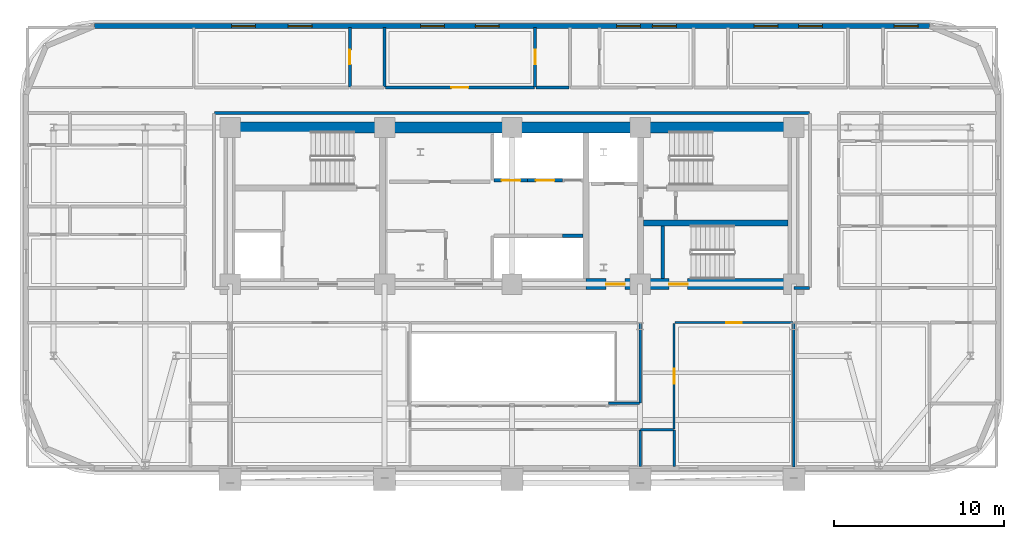
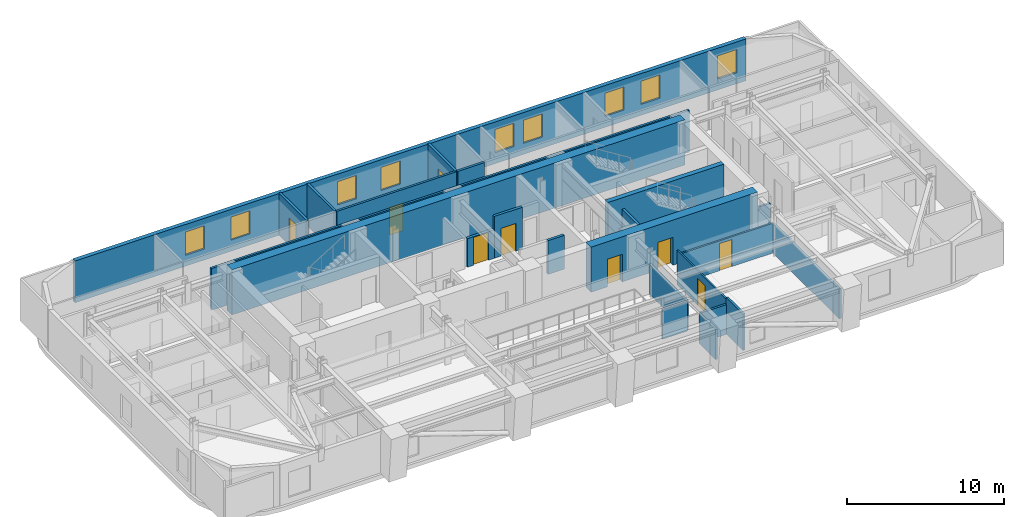
# One storey, part 9 of 14: 23 walls, 9 doors, 9 windows, 18 openings.
"""IFC4 building model written with IfcOpenShell, lengths in metres."""

from ifc_helpers import new_model, si_unit, direction, frame, frame_2d, origin, place, context, subcontext, project, spatial, rectangle, extrude, material, layer, layer_set, type_object, element, fill, save


model = new_model("IFC4")

# Units and contexts
model_context = context("Model", 3, precision=1e-05, world=origin(), true_north=direction((0.0, 1.0)))
body_context = subcontext(model_context, "Body", "Model", "MODEL_VIEW")
ifc_project = project(units=[si_unit("LENGTHUNIT", "METRE"), si_unit("AREAUNIT", "SQUARE_METRE"), si_unit("VOLUMEUNIT", "CUBIC_METRE"), si_unit("PLANEANGLEUNIT", "RADIAN"), si_unit("MASSUNIT", "GRAM", prefix="KILO")], contexts=[model_context])

# Site, building, storey
site_placement = place(None, origin())
site = spatial("IfcSite", under=ifc_project, at=site_placement, CompositionType="ELEMENT")
building_placement = place(site_placement, origin())
building = spatial("IfcBuilding", under=site, at=building_placement, Name="Zarnavel Station Tower", CompositionType="ELEMENT")
storey_placement = place(building_placement, frame((0.0, 0.0, 108.300048828125)))
storey = spatial("IfcBuildingStorey", under=building, at=storey_placement, Name="L29", CompositionType="ELEMENT", Elevation=108.300048828125)

# Walls
ifc_material_1 = material(Name="Concrete C50/60", Category="concrete")
ifc_layer_1 = layer(ifc_material_1, 0.35009765625)
ifc_layer_set_1 = layer_set([ifc_layer_1], Name="CW_350")
wall_type_1 = type_object("IfcWallType", Name="CW_350", PredefinedType="SHEAR", material=ifc_layer_set_1)
wall_1_placement = place(storey_placement, frame((36.554931640625, 31.419921875, 0.0), z_axis=(0.0, 0.0, 1.0), x_axis=(1.0, 0.0, 0.0)))
element("IfcWall", 1, at=wall_1_placement, inside=storey, type_object=wall_type_1, Name="L29 Rear Core Shear Wall DIV-H3", PredefinedType="SHEAR", context=body_context, shape_type="SweptSolid", body=[
    extrude(rectangle(XDim=8.5, YDim=0.35009765625, at=frame_2d((4.25, 0.0))), origin(), (0.0, 0.0, 1.0), 3.5),
])
ifc_material_2 = material(Name="Concrete C60/75", Category="concrete")
ifc_layer_2 = layer(ifc_material_2, 0.64990234375)
ifc_layer_set_2 = layer_set([ifc_layer_2], Name="CW_650")
wall_type_2 = type_object("IfcWallType", Name="CW_650", PredefinedType="SHEAR", material=ifc_layer_set_2)
wall_2_placement = place(storey_placement, frame((12.14990234375, 37.050048828125, 0.0), z_axis=(0.0, 0.0, 1.0), x_axis=(1.0, 0.0, 0.0)))
element("IfcWall", 2, at=wall_2_placement, inside=storey, type_object=wall_type_2, Name="L29 Rear Core Shear Wall N", PredefinedType="SHEAR", context=body_context, shape_type="SweptSolid", body=[
    extrude(rectangle(XDim=33.22998046875, YDim=0.64990234375, at=frame_2d((16.614990234375, 0.0))), origin(), (0.0, 0.0, 1.0), 3.5),
])

# Wall, openings, doors
wall_3_placement = place(storey_placement, frame((45.3798828125, 27.820068359375, 0.0), z_axis=(0.0, 0.0, 1.0), x_axis=(-1.0, 0.0, 0.0)))
wall_3 = element("IfcWall", 3, at=wall_3_placement, inside=storey, type_object=wall_type_2, Name="L29 Rear Core Shear Wall S-E", PredefinedType="SHEAR", context=body_context, shape_type="SweptSolid", body=[
    extrude(rectangle(XDim=12.22998046875, YDim=0.64990234375, at=frame_2d((6.114990234375, 0.0))), origin(), (0.0, 0.0, 1.0), 3.5),
])
opening_1_placement = place(wall_3_placement, frame((9.929931640625, 0.0, 0.0)))
opening_1 = element("IfcOpeningElement", 4, at=opening_1_placement, cuts=wall_3, Name="Opening FD01", PredefinedType="OPENING", context=body_context, shape_type="SweptSolid", body=[
    extrude(rectangle(XDim=1.10009765625, YDim=2.14990234375, at=frame_2d((0.550048828125, 1.074951171875))), frame((0.0, 0.3349609375, 0.0), z_axis=(0.0, -1.0, 0.0), x_axis=(1.0, 0.0, 0.0)), (0.0, 0.0, 1.0), 0.669921875),
])
opening_2_placement = place(wall_3_placement, frame((6.22998046875, 0.0, 0.0)))
opening_2 = element("IfcOpeningElement", 5, at=opening_2_placement, cuts=wall_3, Name="Opening FD01", PredefinedType="OPENING", context=body_context, shape_type="SweptSolid", body=[
    extrude(rectangle(XDim=1.10009765625, YDim=2.14990234375, at=frame_2d((0.550048828125, 1.074951171875))), frame((0.0, 0.3349609375, 0.0), z_axis=(0.0, -1.0, 0.0), x_axis=(1.0, 0.0, 0.0)), (0.0, 0.0, 1.0), 0.669921875),
])
ifc_material_3 = material(Name="Painted Galvanised Steel and Hardwood Leaf", Category="steel")
door_type_1 = type_object("IfcDoorType", Name="ID_STAIR_1100", OperationType="NOTDEFINED", PredefinedType="DOOR", material=ifc_material_3)
door_1_placement = place(opening_1_placement, origin())
door_1 = element("IfcDoor", 6, at=door_1_placement, inside=storey, type_object=door_type_1, Name="L29 East Firefighting Lobby Door", OperationType="SINGLE_SWING_LEFT", OverallHeight=2.14990234375, OverallWidth=1.10009765625, PredefinedType="DOOR", context=body_context, shape_type="SweptSolid", body=[
    extrude(rectangle(XDim=1.10009765625, YDim=2.14990234375, at=frame_2d((0.550048828125, 1.074951171875))), frame((0.0, 0.02490234375, 0.0), z_axis=(0.0, -1.0, 0.0), x_axis=(1.0, 0.0, 0.0)), (0.0, 0.0, 1.0), 0.050048828125),
])
fill(opening_1, door_1)
door_2_placement = place(opening_2_placement, origin())
door_2 = element("IfcDoor", 7, at=door_2_placement, inside=storey, type_object=door_type_1, Name="L29 Stair ST3 Corridor Fire Door", OperationType="SINGLE_SWING_RIGHT", OverallHeight=2.14990234375, OverallWidth=1.10009765625, PredefinedType="DOOR", context=body_context, shape_type="SweptSolid", body=[
    extrude(rectangle(XDim=1.10009765625, YDim=2.14990234375, at=frame_2d((0.550048828125, 1.074951171875))), frame((0.0, 0.02490234375, 0.0), z_axis=(0.0, -1.0, 0.0), x_axis=(1.0, 0.0, 0.0)), (0.0, 0.0, 1.0), 0.050048828125),
])
fill(opening_2, door_2)

# Wall, openings, windows
ifc_material_4 = material(Name="Precast concrete C45/55 (Dark Basalt Finish)", Category="masonry")
ifc_layer_3 = layer(ifc_material_4, 0.300048828125)
ifc_layer_set_3 = layer_set([ifc_layer_3], Name="EW_BASALT_300")
wall_type_3 = type_object("IfcWallType", Name="EW_BASALT_300", PredefinedType="SOLIDWALL", material=ifc_layer_set_3)
wall_4_placement = place(storey_placement, frame((4.199951171875, 43.02001953125, 0.0), z_axis=(0.0, 0.0, 1.0), x_axis=(1.0, 0.0, 0.0)))
wall_4 = element("IfcWall", 8, at=wall_4_placement, inside=storey, type_object=wall_type_3, Name="L29 Exterior Basalt Masonry Frame Wall 06", PredefinedType="SOLIDWALL", context=body_context, shape_type="SweptSolid", body=[
    extrude(rectangle(XDim=49.199951171875, YDim=0.300048828125, at=frame_2d((24.60009765625, 0.0))), origin(), (0.0, 0.0, 1.0), 3.239990234375),
])
opening_3_placement = place(wall_4_placement, frame((8.090087890625, 0.0, 0.85009765625)))
opening_3 = element("IfcOpeningElement", 9, at=opening_3_placement, cuts=wall_4, Name="Opening WN01", PredefinedType="OPENING", context=body_context, shape_type="SweptSolid", body=[
    extrude(rectangle(XDim=1.39990234375, YDim=1.800048828125, at=frame_2d((0.699951171875, 0.89990234375))), frame((0.0, 0.159912109375, 0.0), z_axis=(0.0, -1.0, 0.0), x_axis=(1.0, 0.0, 0.0)), (0.0, 0.0, 1.0), 0.320068359375),
])
opening_4_placement = place(wall_4_placement, frame((11.419921875, 0.0, 0.85009765625)))
opening_4 = element("IfcOpeningElement", 10, at=opening_4_placement, cuts=wall_4, Name="Opening WN01", PredefinedType="OPENING", context=body_context, shape_type="SweptSolid", body=[
    extrude(rectangle(XDim=1.39990234375, YDim=1.800048828125, at=frame_2d((0.699951171875, 0.89990234375))), frame((0.0, 0.159912109375, 0.0), z_axis=(0.0, -1.0, 0.0), x_axis=(1.0, 0.0, 0.0)), (0.0, 0.0, 1.0), 0.320068359375),
])
opening_5_placement = place(wall_4_placement, frame((19.22021484375, 0.0, 0.85009765625)))
opening_5 = element("IfcOpeningElement", 11, at=opening_5_placement, cuts=wall_4, Name="Opening WN01", PredefinedType="OPENING", context=body_context, shape_type="SweptSolid", body=[
    extrude(rectangle(XDim=1.39990234375, YDim=1.800048828125, at=frame_2d((0.699951171875, 0.89990234375))), frame((0.0, 0.159912109375, 0.0), z_axis=(0.0, -1.0, 0.0), x_axis=(1.0, 0.0, 0.0)), (0.0, 0.0, 1.0), 0.320068359375),
])
opening_6_placement = place(wall_4_placement, frame((22.440673828125, 0.0, 0.85009765625)))
opening_6 = element("IfcOpeningElement", 12, at=opening_6_placement, cuts=wall_4, Name="Opening WN01", PredefinedType="OPENING", context=body_context, shape_type="SweptSolid", body=[
    extrude(rectangle(XDim=1.39990234375, YDim=1.800048828125, at=frame_2d((0.699951171875, 0.89990234375))), frame((0.0, 0.159912109375, 0.0), z_axis=(0.0, -1.0, 0.0), x_axis=(1.0, 0.0, 0.0)), (0.0, 0.0, 1.0), 0.320068359375),
])
opening_7_placement = place(wall_4_placement, frame((30.766357421875, 0.0, 0.85009765625)))
opening_7 = element("IfcOpeningElement", 13, at=opening_7_placement, cuts=wall_4, Name="Opening WN01", PredefinedType="OPENING", context=body_context, shape_type="SweptSolid", body=[
    extrude(rectangle(XDim=1.39990234375, YDim=1.800048828125, at=frame_2d((0.699951171875, 0.89990234375))), frame((0.0, 0.159912109375, 0.0), z_axis=(0.0, -1.0, 0.0), x_axis=(1.0, 0.0, 0.0)), (0.0, 0.0, 1.0), 0.320068359375),
])
opening_8_placement = place(wall_4_placement, frame((32.875732421875, 0.0, 0.85009765625)))
opening_8 = element("IfcOpeningElement", 14, at=opening_8_placement, cuts=wall_4, Name="Opening WN01", PredefinedType="OPENING", context=body_context, shape_type="SweptSolid", body=[
    extrude(rectangle(XDim=1.39990234375, YDim=1.800048828125, at=frame_2d((0.699951171875, 0.89990234375))), frame((0.0, 0.159912109375, 0.0), z_axis=(0.0, -1.0, 0.0), x_axis=(1.0, 0.0, 0.0)), (0.0, 0.0, 1.0), 0.320068359375),
])
opening_9_placement = place(wall_4_placement, frame((38.856689453125, 0.0, 0.85009765625)))
opening_9 = element("IfcOpeningElement", 15, at=opening_9_placement, cuts=wall_4, Name="Opening WN01", PredefinedType="OPENING", context=body_context, shape_type="SweptSolid", body=[
    extrude(rectangle(XDim=1.39990234375, YDim=1.800048828125, at=frame_2d((0.699951171875, 0.89990234375))), frame((0.0, 0.159912109375, 0.0), z_axis=(0.0, -1.0, 0.0), x_axis=(1.0, 0.0, 0.0)), (0.0, 0.0, 1.0), 0.320068359375),
])
opening_10_placement = place(wall_4_placement, frame((41.478271484375, 0.0, 0.85009765625)))
opening_10 = element("IfcOpeningElement", 16, at=opening_10_placement, cuts=wall_4, Name="Opening WN01", PredefinedType="OPENING", context=body_context, shape_type="SweptSolid", body=[
    extrude(rectangle(XDim=1.39990234375, YDim=1.800048828125, at=frame_2d((0.699951171875, 0.89990234375))), frame((0.0, 0.159912109375, 0.0), z_axis=(0.0, -1.0, 0.0), x_axis=(1.0, 0.0, 0.0)), (0.0, 0.0, 1.0), 0.320068359375),
])
opening_11_placement = place(wall_4_placement, frame((47.114990234375, 0.0, 0.85009765625)))
opening_11 = element("IfcOpeningElement", 17, at=opening_11_placement, cuts=wall_4, Name="Opening WN01", PredefinedType="OPENING", context=body_context, shape_type="SweptSolid", body=[
    extrude(rectangle(XDim=1.39990234375, YDim=1.800048828125, at=frame_2d((0.699951171875, 0.89990234375))), frame((0.0, 0.159912109375, 0.0), z_axis=(0.0, -1.0, 0.0), x_axis=(1.0, 0.0, 0.0)), (0.0, 0.0, 1.0), 0.320068359375),
])
ifc_material_5 = material(Name="Thermally Broken Black Aluminium and Low-E Dark Glass", Category="aluminium")
window_type = type_object("IfcWindowType", Name="WN_1400x1800", PartitioningType="DOUBLE_PANEL_VERTICAL", PredefinedType="WINDOW", material=ifc_material_5)
window_1_placement = place(opening_3_placement, origin())
window_1 = element("IfcWindow", 18, at=window_1_placement, inside=storey, type_object=window_type, Name="L29 Recessed Facade Window 01", OverallHeight=1.800048828125, OverallWidth=1.39990234375, PartitioningType="SINGLE_PANEL", PredefinedType="WINDOW", context=body_context, shape_type="SweptSolid", body=[
    extrude(rectangle(XDim=1.39990234375, YDim=1.800048828125, at=frame_2d((0.699951171875, 0.89990234375))), frame((0.0, 0.030029296875, 0.0), z_axis=(0.0, -1.0, 0.0), x_axis=(1.0, 0.0, 0.0)), (0.0, 0.0, 1.0), 0.06005859375),
])
fill(opening_3, window_1)
window_2_placement = place(opening_4_placement, origin())
window_2 = element("IfcWindow", 19, at=window_2_placement, inside=storey, type_object=window_type, Name="L29 Recessed Facade Window 02", OverallHeight=1.800048828125, OverallWidth=1.39990234375, PartitioningType="SINGLE_PANEL", PredefinedType="WINDOW", context=body_context, shape_type="SweptSolid", body=[
    extrude(rectangle(XDim=1.39990234375, YDim=1.800048828125, at=frame_2d((0.699951171875, 0.89990234375))), frame((0.0, 0.030029296875, 0.0), z_axis=(0.0, -1.0, 0.0), x_axis=(1.0, 0.0, 0.0)), (0.0, 0.0, 1.0), 0.06005859375),
])
fill(opening_4, window_2)
window_3_placement = place(opening_5_placement, origin())
window_3 = element("IfcWindow", 20, at=window_3_placement, inside=storey, type_object=window_type, Name="L29 Recessed Facade Window 03", OverallHeight=1.800048828125, OverallWidth=1.39990234375, PartitioningType="SINGLE_PANEL", PredefinedType="WINDOW", context=body_context, shape_type="SweptSolid", body=[
    extrude(rectangle(XDim=1.39990234375, YDim=1.800048828125, at=frame_2d((0.699951171875, 0.89990234375))), frame((0.0, 0.030029296875, 0.0), z_axis=(0.0, -1.0, 0.0), x_axis=(1.0, 0.0, 0.0)), (0.0, 0.0, 1.0), 0.06005859375),
])
fill(opening_5, window_3)
window_4_placement = place(opening_6_placement, origin())
window_4 = element("IfcWindow", 21, at=window_4_placement, inside=storey, type_object=window_type, Name="L29 Recessed Facade Window 04", OverallHeight=1.800048828125, OverallWidth=1.39990234375, PartitioningType="SINGLE_PANEL", PredefinedType="WINDOW", context=body_context, shape_type="SweptSolid", body=[
    extrude(rectangle(XDim=1.39990234375, YDim=1.800048828125, at=frame_2d((0.699951171875, 0.89990234375))), frame((0.0, 0.030029296875, 0.0), z_axis=(0.0, -1.0, 0.0), x_axis=(1.0, 0.0, 0.0)), (0.0, 0.0, 1.0), 0.06005859375),
])
fill(opening_6, window_4)
window_5_placement = place(opening_7_placement, origin())
window_5 = element("IfcWindow", 22, at=window_5_placement, inside=storey, type_object=window_type, Name="L29 Recessed Facade Window 05", OverallHeight=1.800048828125, OverallWidth=1.39990234375, PartitioningType="SINGLE_PANEL", PredefinedType="WINDOW", context=body_context, shape_type="SweptSolid", body=[
    extrude(rectangle(XDim=1.39990234375, YDim=1.800048828125, at=frame_2d((0.699951171875, 0.89990234375))), frame((0.0, 0.030029296875, 0.0), z_axis=(0.0, -1.0, 0.0), x_axis=(1.0, 0.0, 0.0)), (0.0, 0.0, 1.0), 0.06005859375),
])
fill(opening_7, window_5)
window_6_placement = place(opening_8_placement, origin())
window_6 = element("IfcWindow", 23, at=window_6_placement, inside=storey, type_object=window_type, Name="L29 Recessed Facade Window 06", OverallHeight=1.800048828125, OverallWidth=1.39990234375, PartitioningType="SINGLE_PANEL", PredefinedType="WINDOW", context=body_context, shape_type="SweptSolid", body=[
    extrude(rectangle(XDim=1.39990234375, YDim=1.800048828125, at=frame_2d((0.699951171875, 0.89990234375))), frame((0.0, 0.030029296875, 0.0), z_axis=(0.0, -1.0, 0.0), x_axis=(1.0, 0.0, 0.0)), (0.0, 0.0, 1.0), 0.06005859375),
])
fill(opening_8, window_6)
window_7_placement = place(opening_9_placement, origin())
window_7 = element("IfcWindow", 24, at=window_7_placement, inside=storey, type_object=window_type, Name="L29 Recessed Facade Window 07", OverallHeight=1.800048828125, OverallWidth=1.39990234375, PartitioningType="SINGLE_PANEL", PredefinedType="WINDOW", context=body_context, shape_type="SweptSolid", body=[
    extrude(rectangle(XDim=1.39990234375, YDim=1.800048828125, at=frame_2d((0.699951171875, 0.89990234375))), frame((0.0, 0.030029296875, 0.0), z_axis=(0.0, -1.0, 0.0), x_axis=(1.0, 0.0, 0.0)), (0.0, 0.0, 1.0), 0.06005859375),
])
fill(opening_9, window_7)
window_8_placement = place(opening_10_placement, origin())
window_8 = element("IfcWindow", 25, at=window_8_placement, inside=storey, type_object=window_type, Name="L29 Recessed Facade Window 08", OverallHeight=1.800048828125, OverallWidth=1.39990234375, PartitioningType="SINGLE_PANEL", PredefinedType="WINDOW", context=body_context, shape_type="SweptSolid", body=[
    extrude(rectangle(XDim=1.39990234375, YDim=1.800048828125, at=frame_2d((0.699951171875, 0.89990234375))), frame((0.0, 0.030029296875, 0.0), z_axis=(0.0, -1.0, 0.0), x_axis=(1.0, 0.0, 0.0)), (0.0, 0.0, 1.0), 0.06005859375),
])
fill(opening_10, window_8)
window_9_placement = place(opening_11_placement, origin())
window_9 = element("IfcWindow", 26, at=window_9_placement, inside=storey, type_object=window_type, Name="L29 Recessed Facade Window 09", OverallHeight=1.800048828125, OverallWidth=1.39990234375, PartitioningType="SINGLE_PANEL", PredefinedType="WINDOW", context=body_context, shape_type="SweptSolid", body=[
    extrude(rectangle(XDim=1.39990234375, YDim=1.800048828125, at=frame_2d((0.699951171875, 0.89990234375))), frame((0.0, 0.030029296875, 0.0), z_axis=(0.0, -1.0, 0.0), x_axis=(1.0, 0.0, 0.0)), (0.0, 0.0, 1.0), 0.06005859375),
])
fill(opening_11, window_9)

# Wall, opening, door
ifc_material_6 = material(Name="Gypsum Twin-Stud Acoustic Fire Partition", Category="concrete")
ifc_layer_4 = layer(ifc_material_6, 0.159912109375)
ifc_layer_set_4 = layer_set([ifc_layer_4], Name="PT_DEMISE_160")
wall_type_4 = type_object("IfcWallType", Name="PT_DEMISE_160", PredefinedType="PARTITIONING", material=ifc_layer_set_4)
wall_5_placement = place(storey_placement, frame((21.340087890625, 39.39990234375, 0.0), z_axis=(0.0, 0.0, 1.0), x_axis=(1.0, 0.0, 0.0)))
wall_5 = element("IfcWall", 27, at=wall_5_placement, inside=storey, type_object=wall_type_4, Name="L29 Partition COR-N-HN2R", PredefinedType="PARTITIONING", context=body_context, shape_type="SweptSolid", body=[
    extrude(rectangle(XDim=8.781005859375, YDim=0.159912109375, at=frame_2d((4.390625, 0.0))), origin(), (0.0, 0.0, 1.0), 3.239990234375),
])
opening_12_placement = place(wall_5_placement, frame((3.890380859375, 0.0, 0.0)))
opening_12 = element("IfcOpeningElement", 28, at=opening_12_placement, cuts=wall_5, Name="Opening FD02", PredefinedType="OPENING", context=body_context, shape_type="SweptSolid", body=[
    extrude(rectangle(XDim=1.0, YDim=2.14990234375, at=frame_2d((0.5, 1.074951171875))), frame((0.0, 0.08984375, 0.0), z_axis=(0.0, -1.0, 0.0), x_axis=(1.0, 0.0, 0.0)), (0.0, 0.0, 1.0), 0.179931640625),
])
ifc_material_7 = material(Name="Painted Galvanised Steel and Hardwood Leaf", Category="steel")
door_type_2 = type_object("IfcDoorType", Name="ID_ENTRY_1000", OperationType="NOTDEFINED", PredefinedType="DOOR", material=ifc_material_7)
door_3_placement = place(opening_12_placement, origin())
door_3 = element("IfcDoor", 29, at=door_3_placement, inside=storey, type_object=door_type_2, Name="L29 Door COR-N-HN2R", OperationType="SINGLE_SWING_RIGHT", OverallHeight=2.14990234375, OverallWidth=1.0, PredefinedType="DOOR", context=body_context, shape_type="SweptSolid", body=[
    extrude(rectangle(XDim=1.0, YDim=2.14990234375, at=frame_2d((0.5, 1.074951171875))), frame((0.0, 0.02490234375, 0.0), z_axis=(0.0, -1.0, 0.0), x_axis=(1.0, 0.0, 0.0)), (0.0, 0.0, 1.0), 0.050048828125),
])
fill(opening_12, door_3)

# Walls
wall_6_placement = place(storey_placement, frame((45.39990234375, 17.06005859375, 0.0), z_axis=(0.0, 0.0, 1.0), x_axis=(0.0, 1.0, 0.0)))
element("IfcWall", 30, at=wall_6_placement, inside=storey, type_object=wall_type_4, Name="L29 Partition L29SCR-L29FOY", PredefinedType="PARTITIONING", context=body_context, shape_type="SweptSolid", body=[
    extrude(rectangle(XDim=8.449951171875, YDim=0.159912109375, at=frame_2d((4.22509765625, 0.0))), origin(), (0.0, 0.0, 1.0), 2.31005859375),
])
wall_7_placement = place(storey_placement, frame((45.409912109375, 27.60009765625, 0.0), z_axis=(0.0, 0.0, 1.0), x_axis=(1.0, 0.0, 0.0)))
element("IfcWall", 31, at=wall_7_placement, inside=storey, type_object=wall_type_4, Name="L29 Enclosure Wall COR-S", PredefinedType="PARTITIONING", context=body_context, shape_type="SweptSolid", body=[
    extrude(rectangle(XDim=0.91015625, YDim=0.159912109375, at=frame_2d((0.455078125, 0.0))), origin(), (0.0, 0.0, 1.0), 2.280029296875),
])
wall_8_placement = place(storey_placement, frame((11.280029296875, 37.89990234375, 0.0), z_axis=(0.0, 0.0, 1.0), x_axis=(1.0, 0.0, 0.0)))
element("IfcWall", 32, at=wall_8_placement, inside=storey, type_object=wall_type_4, Name="L29 Enclosure Wall COR-N", PredefinedType="PARTITIONING", context=body_context, shape_type="SweptSolid", body=[
    extrude(rectangle(XDim=35.0400390625, YDim=0.159912109375, at=frame_2d((17.52001953125, 0.0))), origin(), (0.0, 0.0, 1.0), 3.239990234375),
])
wall_9_placement = place(storey_placement, frame((36.3798828125, 19.25, 0.0), z_axis=(0.0, 0.0, 1.0), x_axis=(1.0, 0.0, 0.0)))
element("IfcWall", 33, at=wall_9_placement, inside=storey, type_object=wall_type_4, Name="L29 Enclosure Wall COR-AE", PredefinedType="PARTITIONING", context=body_context, shape_type="SweptSolid", body=[
    extrude(rectangle(XDim=1.940185546875, YDim=0.159912109375, at=frame_2d((0.97021484375, 0.0))), origin(), (0.0, 0.0, 1.0), 2.31005859375),
])
wall_10_placement = place(storey_placement, frame((36.35009765625, 20.830078125, 0.0), z_axis=(0.0, 0.0, 1.0), x_axis=(0.0, 1.0, 0.0)))
element("IfcWall", 34, at=wall_10_placement, inside=storey, type_object=wall_type_4, Name="L29 Enclosure Wall COR-AE", PredefinedType="PARTITIONING", context=body_context, shape_type="SweptSolid", body=[
    extrude(rectangle(XDim=4.68994140625, YDim=0.159912109375, at=frame_2d((2.344970703125, 0.0))), origin(), (0.0, 0.0, 1.0), 2.31005859375),
])
wall_11_placement = place(storey_placement, frame((34.47998046875, 20.800048828125, 0.0), z_axis=(0.0, 0.0, 1.0), x_axis=(1.0, 0.0, 0.0)))
element("IfcWall", 35, at=wall_11_placement, inside=storey, type_object=wall_type_4, Name="L29 Enclosure Wall COR-AS", PredefinedType="PARTITIONING", context=body_context, shape_type="SweptSolid", body=[
    extrude(rectangle(XDim=1.840087890625, YDim=0.159912109375, at=frame_2d((0.919921875, 0.0))), origin(), (0.0, 0.0, 1.0), 2.31005859375),
])
wall_12_placement = place(storey_placement, frame((36.35009765625, 17.090087890625, 0.0), z_axis=(0.0, 0.0, 1.0), x_axis=(0.0, 1.0, 0.0)))
element("IfcWall", 36, at=wall_12_placement, inside=storey, type_object=wall_type_4, Name="L29 Enclosure Wall L29GYM", PredefinedType="PARTITIONING", context=body_context, shape_type="SweptSolid", body=[
    extrude(rectangle(XDim=2.1298828125, YDim=0.159912109375, at=frame_2d((1.06494140625, 0.0))), origin(), (0.0, 0.0, 1.0), 2.31005859375),
])
wall_13_placement = place(storey_placement, frame((38.35009765625, 17.090087890625, 0.0), z_axis=(0.0, 0.0, 1.0), x_axis=(0.0, 1.0, 0.0)))
element("IfcWall", 37, at=wall_13_placement, inside=storey, type_object=wall_type_4, Name="L29 Enclosure Wall L29SCR", PredefinedType="PARTITIONING", context=body_context, shape_type="SweptSolid", body=[
    extrude(rectangle(XDim=2.1298828125, YDim=0.159912109375, at=frame_2d((1.06494140625, 0.0))), origin(), (0.0, 0.0, 1.0), 2.829833984375),
])

# Wall, opening, door
ifc_material_8 = material(Name="Gypsum Metal-Stud Interior Partition", Category="concrete")
ifc_layer_5 = layer(ifc_material_8, 0.1201171875)
ifc_layer_set_5 = layer_set([ifc_layer_5], Name="PT_ROOM_120")
wall_type_5 = type_object("IfcWallType", Name="PT_ROOM_120", PredefinedType="PARTITIONING", material=ifc_layer_set_5)
wall_14_placement = place(storey_placement, frame((38.389892578125, 25.550048828125, 0.0), z_axis=(0.0, 0.0, 1.0), x_axis=(1.0, 0.0, 0.0)))
wall_14 = element("IfcWall", 38, at=wall_14_placement, inside=storey, type_object=wall_type_5, Name="L29 Partition COR-S-L29SCR", PredefinedType="PARTITIONING", context=body_context, shape_type="SweptSolid", body=[
    extrude(rectangle(XDim=6.97021484375, YDim=0.1201171875, at=frame_2d((3.485107421875, 0.0))), origin(), (0.0, 0.0, 1.0), 2.31005859375),
])
opening_13_placement = place(wall_14_placement, frame((3.034912109375, 0.0, 0.0)))
opening_13 = element("IfcOpeningElement", 39, at=opening_13_placement, cuts=wall_14, Name="Opening ID01", PredefinedType="OPENING", context=body_context, shape_type="SweptSolid", body=[
    extrude(rectangle(XDim=0.89990234375, YDim=2.10009765625, at=frame_2d((0.449951171875, 1.050048828125))), frame((0.0, 0.070068359375, 0.0), z_axis=(0.0, -1.0, 0.0), x_axis=(1.0, 0.0, 0.0)), (0.0, 0.0, 1.0), 0.14013671875),
])
ifc_material_9 = material(Name="Painted Galvanised Steel and Hardwood Leaf", Category="steel")
door_type_3 = type_object("IfcDoorType", Name="ID_ROOM_900", OperationType="NOTDEFINED", PredefinedType="DOOR", material=ifc_material_9)
door_4_placement = place(opening_13_placement, origin())
door_4 = element("IfcDoor", 40, at=door_4_placement, inside=storey, type_object=door_type_3, Name="L29 Door COR-S-L29SCR", OperationType="SINGLE_SWING_LEFT", OverallHeight=2.10009765625, OverallWidth=0.89990234375, PredefinedType="DOOR", context=body_context, shape_type="SweptSolid", body=[
    extrude(rectangle(XDim=0.89990234375, YDim=2.10009765625, at=frame_2d((0.449951171875, 1.050048828125))), frame((0.0, 0.02490234375, 0.0), z_axis=(0.0, -1.0, 0.0), x_axis=(1.0, 0.0, 0.0)), (0.0, 0.0, 1.0), 0.050048828125),
])
fill(opening_13, door_4)

wall_15_placement = place(storey_placement, frame((38.35009765625, 19.2900390625, 0.0), z_axis=(0.0, 0.0, 1.0), x_axis=(0.0, 1.0, 0.0)))
wall_15 = element("IfcWall", 41, at=wall_15_placement, inside=storey, type_object=wall_type_5, Name="L29 Partition COR-AE-L29SCR", PredefinedType="PARTITIONING", context=body_context, shape_type="SweptSolid", body=[
    extrude(rectangle(XDim=6.219970703125, YDim=0.1201171875, at=frame_2d((3.10986328125, 0.0))), origin(), (0.0, 0.0, 1.0), 2.669921875),
])
opening_14_placement = place(wall_15_placement, frame((2.659912109375, 0.0, 0.0)))
opening_14 = element("IfcOpeningElement", 42, at=opening_14_placement, cuts=wall_15, Name="Opening ID01", PredefinedType="OPENING", context=body_context, shape_type="SweptSolid", body=[
    extrude(rectangle(XDim=0.89990234375, YDim=2.10009765625, at=frame_2d((0.449951171875, 1.050048828125))), frame((0.0, 0.070068359375, 0.0), z_axis=(0.0, -1.0, 0.0), x_axis=(1.0, 0.0, 0.0)), (0.0, 0.0, 1.0), 0.14013671875),
])
door_5_placement = place(opening_14_placement, origin())
door_5 = element("IfcDoor", 43, at=door_5_placement, inside=storey, type_object=door_type_3, Name="L29 Door COR-AE-L29SCR", OperationType="SINGLE_SWING_RIGHT", OverallHeight=2.10009765625, OverallWidth=0.89990234375, PredefinedType="DOOR", context=body_context, shape_type="SweptSolid", body=[
    extrude(rectangle(XDim=0.89990234375, YDim=2.10009765625, at=frame_2d((0.449951171875, 1.050048828125))), frame((0.0, 0.02490234375, 0.0), z_axis=(0.0, -1.0, 0.0), x_axis=(1.0, 0.0, 0.0)), (0.0, 0.0, 1.0), 0.050048828125),
])
fill(opening_14, door_5)

# Wall
ifc_material_10 = material(Name="Precast concrete C45/55 (Fire Shaft Blockwork)", Category="masonry")
ifc_layer_6 = layer(ifc_material_10, 0.199951171875)
ifc_layer_set_6 = layer_set([ifc_layer_6], Name="PT_SHAFT_200")
wall_type_6 = type_object("IfcWallType", Name="PT_SHAFT_200", PredefinedType="PARTITIONING", material=ifc_layer_set_6)
wall_16_placement = place(storey_placement, frame((31.77490234375, 30.669921875, 0.0), z_axis=(0.0, 0.0, 1.0), x_axis=(1.0, 0.0, 0.0)))
element("IfcWall", 44, at=wall_16_placement, inside=storey, type_object=wall_type_6, Name="L29 Lift PL-H3 Shaft Front Wall", PredefinedType="PARTITIONING", context=body_context, shape_type="SweptSolid", body=[
    extrude(rectangle(XDim=1.2001953125, YDim=0.199951171875, at=frame_2d((0.60009765625, 0.0))), origin(), (0.0, 0.0, 1.0), 2.619873046875),
])

# Wall, opening, door
wall_17_placement = place(storey_placement, frame((27.75, 33.929931640625, 0.0), z_axis=(0.0, 0.0, 1.0), x_axis=(1.0, 0.0, 0.0)))
wall_17 = element("IfcWall", 45, at=wall_17_placement, inside=storey, type_object=wall_type_6, Name="L29 Lift PL-M1 Shaft Front Wall", PredefinedType="PARTITIONING", context=body_context, shape_type="SweptSolid", body=[
    extrude(rectangle(XDim=1.97509765625, YDim=0.199951171875, at=frame_2d((0.987548828125, 0.0))), origin(), (0.0, 0.0, 1.0), 2.2119140625),
])
opening_15_placement = place(wall_17_placement, frame((0.4375, 0.0, 0.0)))
opening_15 = element("IfcOpeningElement", 46, at=opening_15_placement, cuts=wall_17, Name="Opening LD02", PredefinedType="OPENING", context=body_context, shape_type="SweptSolid", body=[
    extrude(rectangle(XDim=1.10009765625, YDim=2.14990234375, at=frame_2d((0.550048828125, 1.074951171875))), frame((0.0, 0.10986328125, 0.0), z_axis=(0.0, -1.0, 0.0), x_axis=(1.0, 0.0, 0.0)), (0.0, 0.0, 1.0), 0.219970703125),
])
ifc_material_11 = material(Name="Painted Galvanised Steel and Hardwood Leaf", Category="steel")
door_type_4 = type_object("IfcDoorType", Name="LD_PAX_1100", OperationType="DOUBLE_DOOR_SLIDING", PredefinedType="DOOR", material=ifc_material_11)
door_6_placement = place(opening_15_placement, origin())
door_6 = element("IfcDoor", 47, at=door_6_placement, inside=storey, type_object=door_type_4, Name="L29 Lift PL-M1 Sliding Landing Door", OperationType="DOUBLE_DOOR_SLIDING", OverallHeight=2.14990234375, OverallWidth=1.10009765625, PredefinedType="DOOR", context=body_context, shape_type="SweptSolid", body=[
    extrude(rectangle(XDim=1.10009765625, YDim=2.14990234375, at=frame_2d((0.550048828125, 1.074951171875))), frame((0.0, 0.02490234375, 0.0), z_axis=(0.0, -1.0, 0.0), x_axis=(1.0, 0.0, 0.0)), (0.0, 0.0, 1.0), 0.050048828125),
])
fill(opening_15, door_6)

wall_18_placement = place(storey_placement, frame((29.72509765625, 33.929931640625, 0.0), z_axis=(0.0, 0.0, 1.0), x_axis=(1.0, 0.0, 0.0)))
wall_18 = element("IfcWall", 48, at=wall_18_placement, inside=storey, type_object=wall_type_6, Name="L29 Lift PL-M2 Shaft Front Wall", PredefinedType="PARTITIONING", context=body_context, shape_type="SweptSolid", body=[
    extrude(rectangle(XDim=2.0498046875, YDim=0.199951171875, at=frame_2d((1.02490234375, 0.0))), origin(), (0.0, 0.0, 1.0), 3.239990234375),
])
opening_16_placement = place(wall_18_placement, frame((0.47509765625, 0.0, 0.0)))
opening_16 = element("IfcOpeningElement", 49, at=opening_16_placement, cuts=wall_18, Name="Opening LD02", PredefinedType="OPENING", context=body_context, shape_type="SweptSolid", body=[
    extrude(rectangle(XDim=1.10009765625, YDim=2.14990234375, at=frame_2d((0.550048828125, 1.074951171875))), frame((0.0, 0.10986328125, 0.0), z_axis=(0.0, -1.0, 0.0), x_axis=(1.0, 0.0, 0.0)), (0.0, 0.0, 1.0), 0.219970703125),
])
door_7_placement = place(opening_16_placement, origin())
door_7 = element("IfcDoor", 50, at=door_7_placement, inside=storey, type_object=door_type_4, Name="L29 Lift PL-M2 Sliding Landing Door", OperationType="DOUBLE_DOOR_SLIDING", OverallHeight=2.14990234375, OverallWidth=1.10009765625, PredefinedType="DOOR", context=body_context, shape_type="SweptSolid", body=[
    extrude(rectangle(XDim=1.10009765625, YDim=2.14990234375, at=frame_2d((0.550048828125, 1.074951171875))), frame((0.0, 0.02490234375, 0.0), z_axis=(0.0, -1.0, 0.0), x_axis=(1.0, 0.0, 0.0)), (0.0, 0.0, 1.0), 0.050048828125),
])
fill(opening_16, door_7)

# Walls
wall_19_placement = place(storey_placement, frame((37.679931640625, 28.14501953125, 0.0), z_axis=(0.0, 0.0, 1.0), x_axis=(0.0, 1.0, 0.0)))
element("IfcWall", 51, at=wall_19_placement, inside=storey, type_object=wall_type_6, Name="L29 Stair ST3 West Shaft Wall", PredefinedType="PARTITIONING", context=body_context, shape_type="SweptSolid", body=[
    extrude(rectangle(XDim=3.10498046875, YDim=0.199951171875, at=frame_2d((1.552490234375, 0.0))), origin(), (0.0, 0.0, 1.0), 2.619873046875),
])
ifc_material_12 = material(Name="Moisture-Resistant Plumbing Chase Wall", Category="concrete")
ifc_layer_7 = layer(ifc_material_12, 0.179931640625)
ifc_layer_set_7 = layer_set([ifc_layer_7], Name="PW_PLUMB_180")
wall_type_7 = type_object("IfcWallType", Name="PW_PLUMB_180", PredefinedType="PLUMBINGWALL", material=ifc_layer_set_7)
wall_20_placement = place(storey_placement, frame((30.200927734375, 39.39990234375, 0.0), z_axis=(0.0, 0.0, 1.0), x_axis=(1.0, 0.0, 0.0)))
element("IfcWall", 52, at=wall_20_placement, inside=storey, type_object=wall_type_7, Name="L29 Partition COR-N-HN2B", PredefinedType="PLUMBINGWALL", context=body_context, shape_type="SweptSolid", body=[
    extrude(rectangle(XDim=1.969970703125, YDim=0.179931640625, at=frame_2d((0.98486328125, 0.0))), origin(), (0.0, 0.0, 1.0), 3.239990234375),
])

# Wall, opening, door
wall_21_placement = place(storey_placement, frame((19.25, 39.43994140625, 0.0), z_axis=(0.0, 0.0, 1.0), x_axis=(0.0, 1.0, 0.0)))
wall_21 = element("IfcWall", 53, at=wall_21_placement, inside=storey, type_object=wall_type_7, Name="L29 Partition HN1R-HN1B", PredefinedType="PLUMBINGWALL", context=body_context, shape_type="SweptSolid", body=[
    extrude(rectangle(XDim=3.5, YDim=0.179931640625, at=frame_2d((1.75, 0.0))), origin(), (0.0, 0.0, 1.0), 3.239990234375),
])
opening_17_placement = place(wall_21_placement, frame((1.324951171875, 0.0, 0.0)))
opening_17 = element("IfcOpeningElement", 54, at=opening_17_placement, cuts=wall_21, Name="Opening ID02", PredefinedType="OPENING", context=body_context, shape_type="SweptSolid", body=[
    extrude(rectangle(XDim=0.85009765625, YDim=2.10009765625, at=frame_2d((0.425048828125, 1.050048828125))), frame((0.0, 0.099853515625, 0.0), z_axis=(0.0, -1.0, 0.0), x_axis=(1.0, 0.0, 0.0)), (0.0, 0.0, 1.0), 0.199951171875),
])
ifc_material_13 = material(Name="Painted Galvanised Steel and Hardwood Leaf", Category="steel")
door_type_5 = type_object("IfcDoorType", Name="ID_BATH_850", OperationType="NOTDEFINED", PredefinedType="DOOR", material=ifc_material_13)
door_8_placement = place(opening_17_placement, origin())
door_8 = element("IfcDoor", 55, at=door_8_placement, inside=storey, type_object=door_type_5, Name="L29 Door HN1R-HN1B", OperationType="SINGLE_SWING_LEFT", OverallHeight=2.10009765625, OverallWidth=0.85009765625, PredefinedType="DOOR", context=body_context, shape_type="SweptSolid", body=[
    extrude(rectangle(XDim=0.85009765625, YDim=2.10009765625, at=frame_2d((0.425048828125, 1.050048828125))), frame((0.0, 0.02490234375, 0.0), z_axis=(0.0, -1.0, 0.0), x_axis=(1.0, 0.0, 0.0)), (0.0, 0.0, 1.0), 0.050048828125),
])
fill(opening_17, door_8)

# Wall
wall_22_placement = place(storey_placement, frame((21.300048828125, 39.43994140625, 0.0), z_axis=(0.0, 0.0, 1.0), x_axis=(0.0, 1.0, 0.0)))
element("IfcWall", 56, at=wall_22_placement, inside=storey, type_object=wall_type_7, Name="L29 Partition HN1B-HN2R", PredefinedType="PLUMBINGWALL", context=body_context, shape_type="SweptSolid", body=[
    extrude(rectangle(XDim=3.5, YDim=0.179931640625, at=frame_2d((1.75, 0.0))), origin(), (0.0, 0.0, 1.0), 3.239990234375),
])

# Wall, opening, door
wall_23_placement = place(storey_placement, frame((30.160888671875, 39.43994140625, 0.0), z_axis=(0.0, 0.0, 1.0), x_axis=(0.0, 1.0, 0.0)))
wall_23 = element("IfcWall", 57, at=wall_23_placement, inside=storey, type_object=wall_type_7, Name="L29 Partition HN2R-HN2B", PredefinedType="PLUMBINGWALL", context=body_context, shape_type="SweptSolid", body=[
    extrude(rectangle(XDim=3.5, YDim=0.179931640625, at=frame_2d((1.75, 0.0))), origin(), (0.0, 0.0, 1.0), 3.239990234375),
])
opening_18_placement = place(wall_23_placement, frame((1.324951171875, 0.0, 0.0)))
opening_18 = element("IfcOpeningElement", 58, at=opening_18_placement, cuts=wall_23, Name="Opening ID02", PredefinedType="OPENING", context=body_context, shape_type="SweptSolid", body=[
    extrude(rectangle(XDim=0.85009765625, YDim=2.10009765625, at=frame_2d((0.425048828125, 1.050048828125))), frame((0.0, 0.099853515625, 0.0), z_axis=(0.0, -1.0, 0.0), x_axis=(1.0, 0.0, 0.0)), (0.0, 0.0, 1.0), 0.199951171875),
])
door_9_placement = place(opening_18_placement, origin())
door_9 = element("IfcDoor", 59, at=door_9_placement, inside=storey, type_object=door_type_5, Name="L29 Door HN2R-HN2B", OperationType="SINGLE_SWING_RIGHT", OverallHeight=2.10009765625, OverallWidth=0.85009765625, PredefinedType="DOOR", context=body_context, shape_type="SweptSolid", body=[
    extrude(rectangle(XDim=0.85009765625, YDim=2.10009765625, at=frame_2d((0.425048828125, 1.050048828125))), frame((0.0, 0.02490234375, 0.0), z_axis=(0.0, -1.0, 0.0), x_axis=(1.0, 0.0, 0.0)), (0.0, 0.0, 1.0), 0.050048828125),
])
fill(opening_18, door_9)

save(model, "model.ifc")
